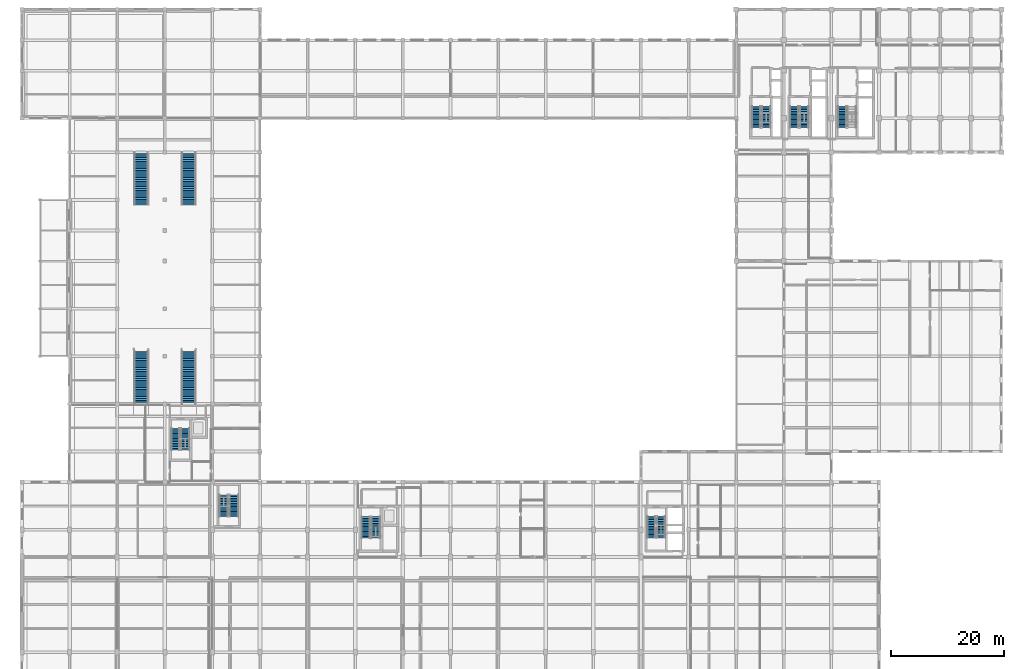
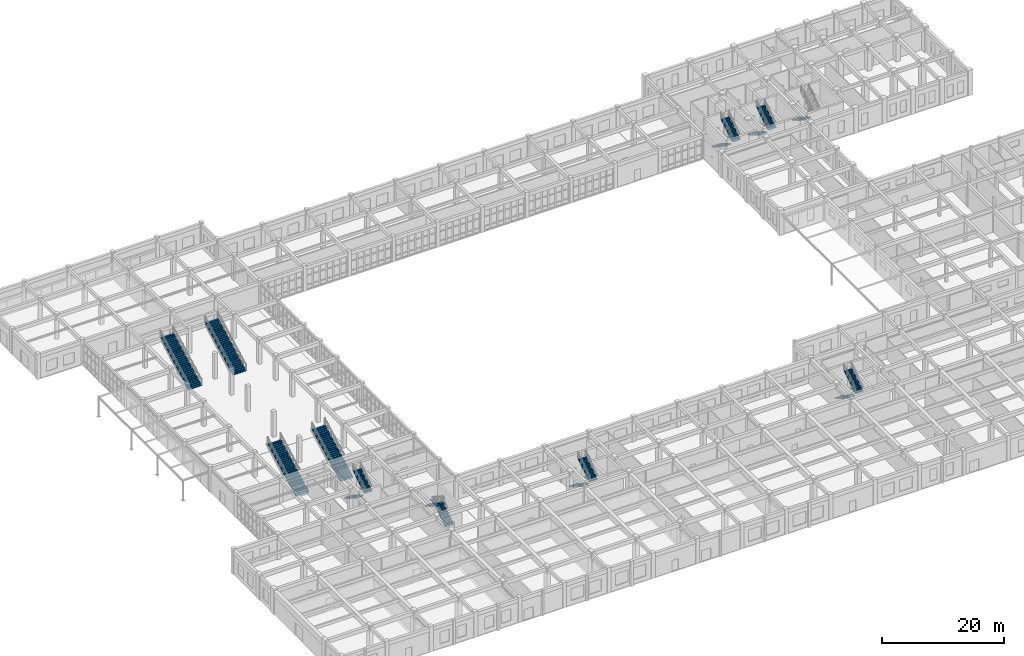
# One storey, part 71 of 80: 17 stair flights, 11 elements without a shape of their own.
"""IFC4 building model written with IfcOpenShell, lengths in metres."""

from ifc_helpers import new_model, si_unit, direction, frame, origin, place, context, subcontext, project, spatial, polyline, outline, extrude, material, type_object, element, aggregate, save


model = new_model("IFC4")

# Units and contexts
model_context = context("Model", 3, precision=1e-05, world=origin(), true_north=direction((0.0, 1.0)))
body_context = subcontext(model_context, "Body", "Model", "MODEL_VIEW")
ifc_project = project(units=[si_unit("LENGTHUNIT", "METRE"), si_unit("AREAUNIT", "SQUARE_METRE"), si_unit("VOLUMEUNIT", "CUBIC_METRE"), si_unit("PLANEANGLEUNIT", "RADIAN"), si_unit("MASSUNIT", "GRAM", prefix="KILO")], contexts=[model_context])

# Site, building, storey
site_placement = place(None, origin())
site = spatial("IfcSite", under=ifc_project, at=site_placement, CompositionType="ELEMENT")
building_placement = place(site_placement, origin())
building = spatial("IfcBuilding", under=site, at=building_placement, Name="Krzemoval Escarpment Law Courts", CompositionType="ELEMENT")
storey_placement = place(building_placement, origin())
storey = spatial("IfcBuildingStorey", under=building, at=storey_placement, Name="L00", CompositionType="ELEMENT", Elevation=0.0)

# Stair, stair flights
ifc_material_1 = material(Name="Concrete C40/50", Category="concrete")
stair_type_1 = type_object("IfcStairType", Name="STR-CORE-1500", PredefinedType="HALF_TURN_STAIR", material=ifc_material_1)
stair_1_placement = place(storey_placement, origin())
stair_1 = element("IfcStair", 1, at=stair_1_placement, inside=storey, type_object=stair_type_1, Name="L00 ST5", PredefinedType="HALF_TURN_STAIR")
ifc_material_2 = material(Name="Concrete C40/50", Category="concrete")
stair_flight_type_1 = type_object("IfcStairFlightType", Name="STF-CORE-1500", PredefinedType="STRAIGHT", material=ifc_material_2)
stair_flight_1_placement = place(storey_placement, frame((27.10009765625, 44.85009765625, 0.0), z_axis=(0.0, 0.0, 1.0), x_axis=(0.0, -1.0, 0.0)))
stair_flight_1 = element("IfcStairFlight", 2, at=stair_flight_1_placement, type_object=stair_flight_type_1, Name="ST5 flight 1", NumberOfRisers=14, NumberOfTreads=13, PredefinedType="STRAIGHT", RiserHeight=0.182142857, TreadLength=0.29, context=body_context, shape_type="SweptSolid", body=[
    extrude(outline(polyline([(0.0, 0.0), (0.0, 0.18212890625), (0.2900390625, 0.18212890625), (0.2900390625, 0.3642578125), (0.580078125, 0.3642578125), (0.580078125, 0.54638671875), (0.8701171875, 0.54638671875), (0.8701171875, 0.728515625), (1.159912109375, 0.728515625), (1.159912109375, 0.91064453125), (1.449951171875, 0.91064453125), (1.449951171875, 1.0927734375), (1.739990234375, 1.0927734375), (1.739990234375, 1.27490234375), (2.030029296875, 1.27490234375), (2.030029296875, 1.45703125), (2.320068359375, 1.45703125), (2.320068359375, 1.639404296875), (2.610107421875, 1.639404296875), (2.610107421875, 1.821533203125), (2.89990234375, 1.821533203125), (2.89990234375, 2.003662109375), (3.18994140625, 2.003662109375), (3.18994140625, 2.185791015625), (3.47998046875, 2.185791015625), (3.47998046875, 2.367919921875), (3.77001953125, 2.367919921875), (3.77001953125, 2.550048828125), (3.77001953125, 2.19091796875), (0.28173828125, 0.0), (0.0, 0.0)])), frame((0.0, 0.75, 0.0), z_axis=(0.0, -1.0, 0.0), x_axis=(1.0, 0.0, 0.0)), (0.0, 0.0, 1.0), 1.5),
])
stair_flight_2_placement = place(storey_placement, frame((28.800048828125, 41.080078125, 2.550048828125), z_axis=(0.0, 0.0, 1.0), x_axis=(0.0, 1.0, 0.0)))
stair_flight_2 = element("IfcStairFlight", 3, at=stair_flight_2_placement, type_object=stair_flight_type_1, Name="ST5 flight 2", NumberOfRisers=14, NumberOfTreads=13, PredefinedType="STRAIGHT", RiserHeight=0.182142857, TreadLength=0.29, context=body_context, shape_type="SweptSolid", body=[
    extrude(outline(polyline([(0.0, 0.0), (0.0, 0.18212890625), (0.2900390625, 0.18212890625), (0.2900390625, 0.3642578125), (0.580078125, 0.3642578125), (0.580078125, 0.54638671875), (0.8701171875, 0.54638671875), (0.8701171875, 0.728515625), (1.159912109375, 0.728515625), (1.159912109375, 0.91064453125), (1.449951171875, 0.91064453125), (1.449951171875, 1.0927734375), (1.739990234375, 1.0927734375), (1.739990234375, 1.27490234375), (2.030029296875, 1.27490234375), (2.030029296875, 1.45703125), (2.320068359375, 1.45703125), (2.320068359375, 1.639404296875), (2.610107421875, 1.639404296875), (2.610107421875, 1.821533203125), (2.89990234375, 1.821533203125), (2.89990234375, 2.003662109375), (3.18994140625, 2.003662109375), (3.18994140625, 2.185791015625), (3.47998046875, 2.185791015625), (3.47998046875, 2.367919921875), (3.77001953125, 2.367919921875), (3.77001953125, 2.550048828125), (3.77001953125, 2.19091796875), (0.28173828125, 0.0), (0.0, 0.0)])), frame((0.0, 0.75, 0.0), z_axis=(0.0, -1.0, 0.0), x_axis=(1.0, 0.0, 0.0)), (0.0, 0.0, 1.0), 1.5),
])
aggregate(stair_1, [stair_flight_1, stair_flight_2])

stair_2_placement = place(storey_placement, origin())
stair_2 = element("IfcStair", 4, at=stair_2_placement, inside=storey, type_object=stair_type_1, Name="L00 ST6", PredefinedType="HALF_TURN_STAIR")
stair_flight_3_placement = place(storey_placement, frame((111.050048828125, 29.35009765625, 0.0), z_axis=(0.0, 0.0, 1.0), x_axis=(0.0, -1.0, 0.0)))
stair_flight_3 = element("IfcStairFlight", 5, at=stair_flight_3_placement, type_object=stair_flight_type_1, Name="ST6 flight 1", NumberOfRisers=14, NumberOfTreads=13, PredefinedType="STRAIGHT", RiserHeight=0.182142857, TreadLength=0.29, context=body_context, shape_type="SweptSolid", body=[
    extrude(outline(polyline([(0.0, 0.0), (0.0, 0.18212890625), (0.2900390625, 0.18212890625), (0.2900390625, 0.3642578125), (0.580078125, 0.3642578125), (0.580078125, 0.54638671875), (0.8701171875, 0.54638671875), (0.8701171875, 0.728515625), (1.159912109375, 0.728515625), (1.159912109375, 0.91064453125), (1.449951171875, 0.91064453125), (1.449951171875, 1.0927734375), (1.739990234375, 1.0927734375), (1.739990234375, 1.27490234375), (2.030029296875, 1.27490234375), (2.030029296875, 1.45703125), (2.320068359375, 1.45703125), (2.320068359375, 1.639404296875), (2.610107421875, 1.639404296875), (2.610107421875, 1.821533203125), (2.89990234375, 1.821533203125), (2.89990234375, 2.003662109375), (3.18994140625, 2.003662109375), (3.18994140625, 2.185791015625), (3.47998046875, 2.185791015625), (3.47998046875, 2.367919921875), (3.77001953125, 2.367919921875), (3.77001953125, 2.550048828125), (3.77001953125, 2.19091796875), (0.28173828125, 0.0), (0.0, 0.0)])), frame((0.0, 0.75, 0.0), z_axis=(0.0, -1.0, 0.0), x_axis=(1.0, 0.0, 0.0)), (0.0, 0.0, 1.0), 1.5),
])
stair_flight_4_placement = place(storey_placement, frame((112.75, 25.580078125, 2.550048828125), z_axis=(0.0, 0.0, 1.0), x_axis=(0.0, 1.0, 0.0)))
stair_flight_4 = element("IfcStairFlight", 6, at=stair_flight_4_placement, type_object=stair_flight_type_1, Name="ST6 flight 2", NumberOfRisers=14, NumberOfTreads=13, PredefinedType="STRAIGHT", RiserHeight=0.182142857, TreadLength=0.29, context=body_context, shape_type="SweptSolid", body=[
    extrude(outline(polyline([(0.0, 0.0), (0.0, 0.18212890625), (0.2900390625, 0.18212890625), (0.2900390625, 0.3642578125), (0.580078125, 0.3642578125), (0.580078125, 0.54638671875), (0.8701171875, 0.54638671875), (0.8701171875, 0.728515625), (1.159912109375, 0.728515625), (1.159912109375, 0.91064453125), (1.449951171875, 0.91064453125), (1.449951171875, 1.0927734375), (1.739990234375, 1.0927734375), (1.739990234375, 1.27490234375), (2.030029296875, 1.27490234375), (2.030029296875, 1.45703125), (2.320068359375, 1.45703125), (2.320068359375, 1.639404296875), (2.610107421875, 1.639404296875), (2.610107421875, 1.821533203125), (2.89990234375, 1.821533203125), (2.89990234375, 2.003662109375), (3.18994140625, 2.003662109375), (3.18994140625, 2.185791015625), (3.47998046875, 2.185791015625), (3.47998046875, 2.367919921875), (3.77001953125, 2.367919921875), (3.77001953125, 2.550048828125), (3.77001953125, 2.19091796875), (0.28173828125, 0.0), (0.0, 0.0)])), frame((0.0, 0.75, 0.0), z_axis=(0.0, -1.0, 0.0), x_axis=(1.0, 0.0, 0.0)), (0.0, 0.0, 1.0), 1.5),
])
aggregate(stair_2, [stair_flight_3, stair_flight_4])

ifc_material_3 = material(Name="Concrete C40/50", Category="concrete")
stair_type_2 = type_object("IfcStairType", Name="STR-CORE-1550", PredefinedType="HALF_TURN_STAIR", material=ifc_material_3)
stair_3_placement = place(storey_placement, origin())
stair_3 = element("IfcStair", 7, at=stair_3_placement, inside=storey, type_object=stair_type_2, Name="L00 ST1", PredefinedType="HALF_TURN_STAIR")
ifc_material_4 = material(Name="Concrete C40/50", Category="concrete")
stair_flight_type_2 = type_object("IfcStairFlightType", Name="STF-CORE-1550", PredefinedType="STRAIGHT", material=ifc_material_4)
stair_flight_5_placement = place(storey_placement, frame((129.52490234375, 101.699951171875, 0.0), z_axis=(0.0, 0.0, 1.0), x_axis=(0.0, -1.0, 0.0)))
stair_flight_5 = element("IfcStairFlight", 8, at=stair_flight_5_placement, type_object=stair_flight_type_2, Name="ST1 flight 1", NumberOfRisers=14, NumberOfTreads=13, PredefinedType="STRAIGHT", RiserHeight=0.182142857, TreadLength=0.29, context=body_context, shape_type="SweptSolid", body=[
    extrude(outline(polyline([(0.0, 0.0), (0.0, 0.18212890625), (0.2900390625, 0.18212890625), (0.2900390625, 0.3642578125), (0.580078125, 0.3642578125), (0.580078125, 0.54638671875), (0.8701171875, 0.54638671875), (0.8701171875, 0.728515625), (1.159912109375, 0.728515625), (1.159912109375, 0.91064453125), (1.449951171875, 0.91064453125), (1.449951171875, 1.0927734375), (1.739990234375, 1.0927734375), (1.739990234375, 1.27490234375), (2.030029296875, 1.27490234375), (2.030029296875, 1.45703125), (2.320068359375, 1.45703125), (2.320068359375, 1.639404296875), (2.610107421875, 1.639404296875), (2.610107421875, 1.821533203125), (2.89990234375, 1.821533203125), (2.89990234375, 2.003662109375), (3.18994140625, 2.003662109375), (3.18994140625, 2.185791015625), (3.47998046875, 2.185791015625), (3.47998046875, 2.367919921875), (3.77001953125, 2.367919921875), (3.77001953125, 2.550048828125), (3.77001953125, 2.19091796875), (0.28173828125, 0.0), (0.0, 0.0)])), frame((0.0, 0.77490234375, 0.0), z_axis=(0.0, -1.0, 0.0), x_axis=(1.0, 0.0, 0.0)), (0.0, 0.0, 1.0), 1.550048828125),
])
stair_flight_6_placement = place(storey_placement, frame((131.27490234375, 97.929931640625, 2.550048828125), z_axis=(0.0, 0.0, 1.0), x_axis=(0.0, 1.0, 0.0)))
stair_flight_6 = element("IfcStairFlight", 9, at=stair_flight_6_placement, type_object=stair_flight_type_2, Name="ST1 flight 2", NumberOfRisers=14, NumberOfTreads=13, PredefinedType="STRAIGHT", RiserHeight=0.182142857, TreadLength=0.29, context=body_context, shape_type="SweptSolid", body=[
    extrude(outline(polyline([(0.0, 0.0), (0.0, 0.18212890625), (0.2900390625, 0.18212890625), (0.2900390625, 0.3642578125), (0.580078125, 0.3642578125), (0.580078125, 0.54638671875), (0.8701171875, 0.54638671875), (0.8701171875, 0.728515625), (1.159912109375, 0.728515625), (1.159912109375, 0.91064453125), (1.449951171875, 0.91064453125), (1.449951171875, 1.0927734375), (1.739990234375, 1.0927734375), (1.739990234375, 1.27490234375), (2.030029296875, 1.27490234375), (2.030029296875, 1.45703125), (2.320068359375, 1.45703125), (2.320068359375, 1.639404296875), (2.610107421875, 1.639404296875), (2.610107421875, 1.821533203125), (2.89990234375, 1.821533203125), (2.89990234375, 2.003662109375), (3.18994140625, 2.003662109375), (3.18994140625, 2.185791015625), (3.47998046875, 2.185791015625), (3.47998046875, 2.367919921875), (3.77001953125, 2.367919921875), (3.77001953125, 2.550048828125), (3.77001953125, 2.19091796875), (0.28173828125, 0.0), (0.0, 0.0)])), frame((0.0, 0.77490234375, 0.0), z_axis=(0.0, -1.0, 0.0), x_axis=(1.0, 0.0, 0.0)), (0.0, 0.0, 1.0), 1.550048828125),
])
aggregate(stair_3, [stair_flight_5, stair_flight_6])

stair_4_placement = place(storey_placement, origin())
stair_4 = element("IfcStair", 10, at=stair_4_placement, inside=storey, type_object=stair_type_2, Name="L00 ST2", PredefinedType="HALF_TURN_STAIR")
stair_flight_7_placement = place(storey_placement, frame((136.27490234375, 101.699951171875, 0.0), z_axis=(0.0, 0.0, 1.0), x_axis=(0.0, -1.0, 0.0)))
stair_flight_7 = element("IfcStairFlight", 11, at=stair_flight_7_placement, type_object=stair_flight_type_2, Name="ST2 flight 1", NumberOfRisers=14, NumberOfTreads=13, PredefinedType="STRAIGHT", RiserHeight=0.182142857, TreadLength=0.29, context=body_context, shape_type="SweptSolid", body=[
    extrude(outline(polyline([(0.0, 0.0), (0.0, 0.18212890625), (0.2900390625, 0.18212890625), (0.2900390625, 0.3642578125), (0.580078125, 0.3642578125), (0.580078125, 0.54638671875), (0.8701171875, 0.54638671875), (0.8701171875, 0.728515625), (1.159912109375, 0.728515625), (1.159912109375, 0.91064453125), (1.449951171875, 0.91064453125), (1.449951171875, 1.0927734375), (1.739990234375, 1.0927734375), (1.739990234375, 1.27490234375), (2.030029296875, 1.27490234375), (2.030029296875, 1.45703125), (2.320068359375, 1.45703125), (2.320068359375, 1.639404296875), (2.610107421875, 1.639404296875), (2.610107421875, 1.821533203125), (2.89990234375, 1.821533203125), (2.89990234375, 2.003662109375), (3.18994140625, 2.003662109375), (3.18994140625, 2.185791015625), (3.47998046875, 2.185791015625), (3.47998046875, 2.367919921875), (3.77001953125, 2.367919921875), (3.77001953125, 2.550048828125), (3.77001953125, 2.19091796875), (0.28173828125, 0.0), (0.0, 0.0)])), frame((0.0, 0.77490234375, 0.0), z_axis=(0.0, -1.0, 0.0), x_axis=(1.0, 0.0, 0.0)), (0.0, 0.0, 1.0), 1.550048828125),
])
stair_flight_8_placement = place(storey_placement, frame((138.02490234375, 97.929931640625, 2.550048828125), z_axis=(0.0, 0.0, 1.0), x_axis=(0.0, 1.0, 0.0)))
stair_flight_8 = element("IfcStairFlight", 12, at=stair_flight_8_placement, type_object=stair_flight_type_2, Name="ST2 flight 2", NumberOfRisers=14, NumberOfTreads=13, PredefinedType="STRAIGHT", RiserHeight=0.182142857, TreadLength=0.29, context=body_context, shape_type="SweptSolid", body=[
    extrude(outline(polyline([(0.0, 0.0), (0.0, 0.18212890625), (0.2900390625, 0.18212890625), (0.2900390625, 0.3642578125), (0.580078125, 0.3642578125), (0.580078125, 0.54638671875), (0.8701171875, 0.54638671875), (0.8701171875, 0.728515625), (1.159912109375, 0.728515625), (1.159912109375, 0.91064453125), (1.449951171875, 0.91064453125), (1.449951171875, 1.0927734375), (1.739990234375, 1.0927734375), (1.739990234375, 1.27490234375), (2.030029296875, 1.27490234375), (2.030029296875, 1.45703125), (2.320068359375, 1.45703125), (2.320068359375, 1.639404296875), (2.610107421875, 1.639404296875), (2.610107421875, 1.821533203125), (2.89990234375, 1.821533203125), (2.89990234375, 2.003662109375), (3.18994140625, 2.003662109375), (3.18994140625, 2.185791015625), (3.47998046875, 2.185791015625), (3.47998046875, 2.367919921875), (3.77001953125, 2.367919921875), (3.77001953125, 2.550048828125), (3.77001953125, 2.19091796875), (0.28173828125, 0.0), (0.0, 0.0)])), frame((0.0, 0.77490234375, 0.0), z_axis=(0.0, -1.0, 0.0), x_axis=(1.0, 0.0, 0.0)), (0.0, 0.0, 1.0), 1.550048828125),
])
aggregate(stair_4, [stair_flight_7, stair_flight_8])

# Stair, stair flight
stair_5_placement = place(storey_placement, origin())
stair_5 = element("IfcStair", 13, at=stair_5_placement, inside=storey, type_object=stair_type_2, Name="L00 ST3", PredefinedType="HALF_TURN_STAIR")
stair_flight_9_placement = place(storey_placement, frame((144.675048828125, 101.699951171875, 0.0), z_axis=(0.0, 0.0, 1.0), x_axis=(0.0, -1.0, 0.0)))
stair_flight_9 = element("IfcStairFlight", 14, at=stair_flight_9_placement, type_object=stair_flight_type_2, Name="ST3 flight 1", NumberOfRisers=14, NumberOfTreads=13, PredefinedType="STRAIGHT", RiserHeight=0.182142857, TreadLength=0.29, context=body_context, shape_type="SweptSolid", body=[
    extrude(outline(polyline([(0.0, 0.0), (0.0, 0.18212890625), (0.2900390625, 0.18212890625), (0.2900390625, 0.3642578125), (0.580078125, 0.3642578125), (0.580078125, 0.54638671875), (0.8701171875, 0.54638671875), (0.8701171875, 0.728515625), (1.159912109375, 0.728515625), (1.159912109375, 0.91064453125), (1.449951171875, 0.91064453125), (1.449951171875, 1.0927734375), (1.739990234375, 1.0927734375), (1.739990234375, 1.27490234375), (2.030029296875, 1.27490234375), (2.030029296875, 1.45703125), (2.320068359375, 1.45703125), (2.320068359375, 1.639404296875), (2.610107421875, 1.639404296875), (2.610107421875, 1.821533203125), (2.89990234375, 1.821533203125), (2.89990234375, 2.003662109375), (3.18994140625, 2.003662109375), (3.18994140625, 2.185791015625), (3.47998046875, 2.185791015625), (3.47998046875, 2.367919921875), (3.77001953125, 2.367919921875), (3.77001953125, 2.550048828125), (3.77001953125, 2.19091796875), (0.28173828125, 0.0), (0.0, 0.0)])), frame((0.0, 0.77490234375, 0.0), z_axis=(0.0, -1.0, 0.0), x_axis=(1.0, 0.0, 0.0)), (0.0, 0.0, 1.0), 1.550048828125),
])
aggregate(stair_5, [stair_flight_9])

# Stair, stair flights
stair_6_placement = place(storey_placement, origin())
stair_6 = element("IfcStair", 15, at=stair_6_placement, inside=storey, type_object=stair_type_2, Name="L00 ST4", PredefinedType="HALF_TURN_STAIR")
stair_flight_10_placement = place(storey_placement, frame((60.675048828125, 29.300048828125, 0.0), z_axis=(0.0, 0.0, 1.0), x_axis=(0.0, -1.0, 0.0)))
stair_flight_10 = element("IfcStairFlight", 16, at=stair_flight_10_placement, type_object=stair_flight_type_2, Name="ST4 flight 1", NumberOfRisers=14, NumberOfTreads=13, PredefinedType="STRAIGHT", RiserHeight=0.182142857, TreadLength=0.29, context=body_context, shape_type="SweptSolid", body=[
    extrude(outline(polyline([(0.0, 0.0), (0.0, 0.18212890625), (0.2900390625, 0.18212890625), (0.2900390625, 0.3642578125), (0.580078125, 0.3642578125), (0.580078125, 0.54638671875), (0.8701171875, 0.54638671875), (0.8701171875, 0.728515625), (1.159912109375, 0.728515625), (1.159912109375, 0.91064453125), (1.449951171875, 0.91064453125), (1.449951171875, 1.0927734375), (1.739990234375, 1.0927734375), (1.739990234375, 1.27490234375), (2.030029296875, 1.27490234375), (2.030029296875, 1.45703125), (2.320068359375, 1.45703125), (2.320068359375, 1.639404296875), (2.610107421875, 1.639404296875), (2.610107421875, 1.821533203125), (2.89990234375, 1.821533203125), (2.89990234375, 2.003662109375), (3.18994140625, 2.003662109375), (3.18994140625, 2.185791015625), (3.47998046875, 2.185791015625), (3.47998046875, 2.367919921875), (3.77001953125, 2.367919921875), (3.77001953125, 2.550048828125), (3.77001953125, 2.19091796875), (0.28173828125, 0.0), (0.0, 0.0)])), frame((0.0, 0.77490234375, 0.0), z_axis=(0.0, -1.0, 0.0), x_axis=(1.0, 0.0, 0.0)), (0.0, 0.0, 1.0), 1.550048828125),
])
stair_flight_11_placement = place(storey_placement, frame((62.425048828125, 25.530029296875, 2.550048828125), z_axis=(0.0, 0.0, 1.0), x_axis=(0.0, 1.0, 0.0)))
stair_flight_11 = element("IfcStairFlight", 17, at=stair_flight_11_placement, type_object=stair_flight_type_2, Name="ST4 flight 2", NumberOfRisers=14, NumberOfTreads=13, PredefinedType="STRAIGHT", RiserHeight=0.182142857, TreadLength=0.29, context=body_context, shape_type="SweptSolid", body=[
    extrude(outline(polyline([(0.0, 0.0), (0.0, 0.18212890625), (0.2900390625, 0.18212890625), (0.2900390625, 0.3642578125), (0.580078125, 0.3642578125), (0.580078125, 0.54638671875), (0.8701171875, 0.54638671875), (0.8701171875, 0.728515625), (1.159912109375, 0.728515625), (1.159912109375, 0.91064453125), (1.449951171875, 0.91064453125), (1.449951171875, 1.0927734375), (1.739990234375, 1.0927734375), (1.739990234375, 1.27490234375), (2.030029296875, 1.27490234375), (2.030029296875, 1.45703125), (2.320068359375, 1.45703125), (2.320068359375, 1.639404296875), (2.610107421875, 1.639404296875), (2.610107421875, 1.821533203125), (2.89990234375, 1.821533203125), (2.89990234375, 2.003662109375), (3.18994140625, 2.003662109375), (3.18994140625, 2.185791015625), (3.47998046875, 2.185791015625), (3.47998046875, 2.367919921875), (3.77001953125, 2.367919921875), (3.77001953125, 2.550048828125), (3.77001953125, 2.19091796875), (0.28173828125, 0.0), (0.0, 0.0)])), frame((0.0, 0.77490234375, 0.0), z_axis=(0.0, -1.0, 0.0), x_axis=(1.0, 0.0, 0.0)), (0.0, 0.0, 1.0), 1.550048828125),
])
aggregate(stair_6, [stair_flight_10, stair_flight_11])

ifc_material_5 = material(Name="Concrete C40/50", Category="concrete")
stair_type_3 = type_object("IfcStairType", Name="STR-CORE-1600", PredefinedType="HALF_TURN_STAIR", material=ifc_material_5)
stair_7_placement = place(storey_placement, origin())
stair_7 = element("IfcStair", 18, at=stair_7_placement, inside=storey, type_object=stair_type_3, Name="L00 ST9", PredefinedType="HALF_TURN_STAIR")
ifc_material_6 = material(Name="Concrete C40/50", Category="concrete")
stair_flight_type_3 = type_object("IfcStairFlightType", Name="STF-CORE-1600", PredefinedType="STRAIGHT", material=ifc_material_6)
stair_flight_12_placement = place(storey_placement, frame((37.39990234375, 29.35009765625, 0.0), z_axis=(0.0, 0.0, 1.0), x_axis=(0.0, 1.0, 0.0)))
stair_flight_12 = element("IfcStairFlight", 19, at=stair_flight_12_placement, type_object=stair_flight_type_3, Name="ST9 flight 1", NumberOfRisers=14, NumberOfTreads=13, PredefinedType="STRAIGHT", RiserHeight=0.182142857, TreadLength=0.29, context=body_context, shape_type="SweptSolid", body=[
    extrude(outline(polyline([(0.0, 0.0), (0.0, 0.18212890625), (0.2900390625, 0.18212890625), (0.2900390625, 0.3642578125), (0.580078125, 0.3642578125), (0.580078125, 0.54638671875), (0.8701171875, 0.54638671875), (0.8701171875, 0.728515625), (1.159912109375, 0.728515625), (1.159912109375, 0.91064453125), (1.449951171875, 0.91064453125), (1.449951171875, 1.0927734375), (1.739990234375, 1.0927734375), (1.739990234375, 1.27490234375), (2.030029296875, 1.27490234375), (2.030029296875, 1.45703125), (2.320068359375, 1.45703125), (2.320068359375, 1.639404296875), (2.610107421875, 1.639404296875), (2.610107421875, 1.821533203125), (2.89990234375, 1.821533203125), (2.89990234375, 2.003662109375), (3.18994140625, 2.003662109375), (3.18994140625, 2.185791015625), (3.47998046875, 2.185791015625), (3.47998046875, 2.367919921875), (3.77001953125, 2.367919921875), (3.77001953125, 2.550048828125), (3.77001953125, 2.19091796875), (0.28173828125, 0.0), (0.0, 0.0)])), frame((0.0, 0.800048828125, 0.0), z_axis=(0.0, -1.0, 0.0), x_axis=(1.0, 0.0, 0.0)), (0.0, 0.0, 1.0), 1.60009765625),
])
stair_flight_13_placement = place(storey_placement, frame((35.60009765625, 33.1201171875, 2.550048828125), z_axis=(0.0, 0.0, 1.0), x_axis=(0.0, -1.0, 0.0)))
stair_flight_13 = element("IfcStairFlight", 20, at=stair_flight_13_placement, type_object=stair_flight_type_3, Name="ST9 flight 2", NumberOfRisers=14, NumberOfTreads=13, PredefinedType="STRAIGHT", RiserHeight=0.182142857, TreadLength=0.29, context=body_context, shape_type="SweptSolid", body=[
    extrude(outline(polyline([(0.0, 0.0), (0.0, 0.18212890625), (0.2900390625, 0.18212890625), (0.2900390625, 0.3642578125), (0.580078125, 0.3642578125), (0.580078125, 0.54638671875), (0.8701171875, 0.54638671875), (0.8701171875, 0.728515625), (1.159912109375, 0.728515625), (1.159912109375, 0.91064453125), (1.449951171875, 0.91064453125), (1.449951171875, 1.0927734375), (1.739990234375, 1.0927734375), (1.739990234375, 1.27490234375), (2.030029296875, 1.27490234375), (2.030029296875, 1.45703125), (2.320068359375, 1.45703125), (2.320068359375, 1.639404296875), (2.610107421875, 1.639404296875), (2.610107421875, 1.821533203125), (2.89990234375, 1.821533203125), (2.89990234375, 2.003662109375), (3.18994140625, 2.003662109375), (3.18994140625, 2.185791015625), (3.47998046875, 2.185791015625), (3.47998046875, 2.367919921875), (3.77001953125, 2.367919921875), (3.77001953125, 2.550048828125), (3.77001953125, 2.19091796875), (0.28173828125, 0.0), (0.0, 0.0)])), frame((0.0, 0.800048828125, 0.0), z_axis=(0.0, -1.0, 0.0), x_axis=(1.0, 0.0, 0.0)), (0.0, 0.0, 1.0), 1.60009765625),
])
aggregate(stair_7, [stair_flight_12, stair_flight_13])

# Stair, stair flight
ifc_material_7 = material(Name="Concrete C40/50", Category="concrete")
stair_type_4 = type_object("IfcStairType", Name="STR-MON-2500", PredefinedType="STRAIGHT_RUN_STAIR", material=ifc_material_7)
stair_8_placement = place(storey_placement, origin())
stair_8 = element("IfcStair", 21, at=stair_8_placement, inside=storey, type_object=stair_type_4, Name="Monumental Public Hall Stair ST7-L00", PredefinedType="STRAIGHT_RUN_STAIR")
ifc_material_8 = material(Name="Concrete C40/50", Category="concrete")
stair_flight_type_4 = type_object("IfcStairFlightType", Name="STF-MON-2500", PredefinedType="STRAIGHT", material=ifc_material_8)
stair_flight_14_placement = place(storey_placement, frame((21.0, 49.199951171875, 0.0), z_axis=(0.0, 0.0, 1.0), x_axis=(0.0, 1.0, 0.0)))
stair_flight_14 = element("IfcStairFlight", 22, at=stair_flight_14_placement, type_object=stair_flight_type_4, Name="ST7-L00 flight 1", NumberOfRisers=30, NumberOfTreads=29, PredefinedType="STRAIGHT", RiserHeight=0.17, TreadLength=0.32, context=body_context, shape_type="SweptSolid", body=[
    extrude(outline(polyline([(0.0, 0.0), (0.0, 0.169921875), (0.320068359375, 0.169921875), (0.320068359375, 0.340087890625), (0.639892578125, 0.340087890625), (0.639892578125, 0.510009765625), (0.9599609375, 0.510009765625), (0.9599609375, 0.679931640625), (1.280029296875, 0.679931640625), (1.280029296875, 0.85009765625), (1.60009765625, 0.85009765625), (1.60009765625, 1.02001953125), (1.919921875, 1.02001953125), (1.919921875, 1.18994140625), (2.239990234375, 1.18994140625), (2.239990234375, 1.360107421875), (2.56005859375, 1.360107421875), (2.56005859375, 1.530029296875), (2.8798828125, 1.530029296875), (2.8798828125, 1.699951171875), (3.199951171875, 1.699951171875), (3.199951171875, 1.8701171875), (3.52001953125, 1.8701171875), (3.52001953125, 2.0400390625), (3.840087890625, 2.0400390625), (3.840087890625, 2.2099609375), (4.159912109375, 2.2099609375), (4.159912109375, 2.3798828125), (4.47998046875, 2.3798828125), (4.47998046875, 2.550048828125), (4.800048828125, 2.550048828125), (4.800048828125, 2.719970703125), (5.1201171875, 2.719970703125), (5.1201171875, 2.889892578125), (5.43994140625, 2.889892578125), (5.43994140625, 3.06005859375), (5.760009765625, 3.06005859375), (5.760009765625, 3.22998046875), (6.080078125, 3.22998046875), (6.080078125, 3.39990234375), (6.39990234375, 3.39990234375), (6.39990234375, 3.570068359375), (6.719970703125, 3.570068359375), (6.719970703125, 3.739990234375), (7.0400390625, 3.739990234375), (7.0400390625, 3.909912109375), (7.360107421875, 3.909912109375), (7.360107421875, 4.080078125), (7.679931640625, 4.080078125), (7.679931640625, 4.25), (8.0, 4.25), (8.0, 4.419921875), (8.320068359375, 4.419921875), (8.320068359375, 4.590087890625), (8.639892578125, 4.590087890625), (8.639892578125, 4.760009765625), (8.9599609375, 4.760009765625), (8.9599609375, 4.929931640625), (9.280029296875, 4.929931640625), (9.280029296875, 5.10009765625), (9.280029296875, 4.726318359375), (0.383544921875, 0.0), (0.0, 0.0)])), frame((0.0, 1.25, 0.0), z_axis=(0.0, -1.0, 0.0), x_axis=(1.0, 0.0, 0.0)), (0.0, 0.0, 1.0), 2.5),
])
aggregate(stair_8, [stair_flight_14])

stair_9_placement = place(storey_placement, origin())
stair_9 = element("IfcStair", 23, at=stair_9_placement, inside=storey, type_object=stair_type_4, Name="Monumental Public Hall Stair ST8-L00", PredefinedType="STRAIGHT_RUN_STAIR")
stair_flight_15_placement = place(storey_placement, frame((29.39990234375, 49.199951171875, 0.0), z_axis=(0.0, 0.0, 1.0), x_axis=(0.0, 1.0, 0.0)))
stair_flight_15 = element("IfcStairFlight", 24, at=stair_flight_15_placement, type_object=stair_flight_type_4, Name="ST8-L00 flight 1", NumberOfRisers=30, NumberOfTreads=29, PredefinedType="STRAIGHT", RiserHeight=0.17, TreadLength=0.32, context=body_context, shape_type="SweptSolid", body=[
    extrude(outline(polyline([(0.0, 0.0), (0.0, 0.169921875), (0.320068359375, 0.169921875), (0.320068359375, 0.340087890625), (0.639892578125, 0.340087890625), (0.639892578125, 0.510009765625), (0.9599609375, 0.510009765625), (0.9599609375, 0.679931640625), (1.280029296875, 0.679931640625), (1.280029296875, 0.85009765625), (1.60009765625, 0.85009765625), (1.60009765625, 1.02001953125), (1.919921875, 1.02001953125), (1.919921875, 1.18994140625), (2.239990234375, 1.18994140625), (2.239990234375, 1.360107421875), (2.56005859375, 1.360107421875), (2.56005859375, 1.530029296875), (2.8798828125, 1.530029296875), (2.8798828125, 1.699951171875), (3.199951171875, 1.699951171875), (3.199951171875, 1.8701171875), (3.52001953125, 1.8701171875), (3.52001953125, 2.0400390625), (3.840087890625, 2.0400390625), (3.840087890625, 2.2099609375), (4.159912109375, 2.2099609375), (4.159912109375, 2.3798828125), (4.47998046875, 2.3798828125), (4.47998046875, 2.550048828125), (4.800048828125, 2.550048828125), (4.800048828125, 2.719970703125), (5.1201171875, 2.719970703125), (5.1201171875, 2.889892578125), (5.43994140625, 2.889892578125), (5.43994140625, 3.06005859375), (5.760009765625, 3.06005859375), (5.760009765625, 3.22998046875), (6.080078125, 3.22998046875), (6.080078125, 3.39990234375), (6.39990234375, 3.39990234375), (6.39990234375, 3.570068359375), (6.719970703125, 3.570068359375), (6.719970703125, 3.739990234375), (7.0400390625, 3.739990234375), (7.0400390625, 3.909912109375), (7.360107421875, 3.909912109375), (7.360107421875, 4.080078125), (7.679931640625, 4.080078125), (7.679931640625, 4.25), (8.0, 4.25), (8.0, 4.419921875), (8.320068359375, 4.419921875), (8.320068359375, 4.590087890625), (8.639892578125, 4.590087890625), (8.639892578125, 4.760009765625), (8.9599609375, 4.760009765625), (8.9599609375, 4.929931640625), (9.280029296875, 4.929931640625), (9.280029296875, 5.10009765625), (9.280029296875, 4.726318359375), (0.383544921875, 0.0), (0.0, 0.0)])), frame((0.0, 1.25, 0.0), z_axis=(0.0, -1.0, 0.0), x_axis=(1.0, 0.0, 0.0)), (0.0, 0.0, 1.0), 2.5),
])
aggregate(stair_9, [stair_flight_15])

stair_10_placement = place(storey_placement, origin())
stair_10 = element("IfcStair", 25, at=stair_10_placement, inside=storey, type_object=stair_type_4, Name="Monumental Public Hall Stair ST10-L00", PredefinedType="STRAIGHT_RUN_STAIR")
stair_flight_16_placement = place(storey_placement, frame((21.0, 84.320068359375, 0.0), z_axis=(0.0, 0.0, 1.0), x_axis=(0.0, 1.0, 0.0)))
stair_flight_16 = element("IfcStairFlight", 26, at=stair_flight_16_placement, type_object=stair_flight_type_4, Name="ST10-L00 flight 1", NumberOfRisers=30, NumberOfTreads=29, PredefinedType="STRAIGHT", RiserHeight=0.17, TreadLength=0.32, context=body_context, shape_type="SweptSolid", body=[
    extrude(outline(polyline([(0.0, 0.0), (0.0, 0.169921875), (0.320068359375, 0.169921875), (0.320068359375, 0.340087890625), (0.639892578125, 0.340087890625), (0.639892578125, 0.510009765625), (0.9599609375, 0.510009765625), (0.9599609375, 0.679931640625), (1.280029296875, 0.679931640625), (1.280029296875, 0.85009765625), (1.60009765625, 0.85009765625), (1.60009765625, 1.02001953125), (1.919921875, 1.02001953125), (1.919921875, 1.18994140625), (2.239990234375, 1.18994140625), (2.239990234375, 1.360107421875), (2.56005859375, 1.360107421875), (2.56005859375, 1.530029296875), (2.8798828125, 1.530029296875), (2.8798828125, 1.699951171875), (3.199951171875, 1.699951171875), (3.199951171875, 1.8701171875), (3.52001953125, 1.8701171875), (3.52001953125, 2.0400390625), (3.840087890625, 2.0400390625), (3.840087890625, 2.2099609375), (4.159912109375, 2.2099609375), (4.159912109375, 2.3798828125), (4.47998046875, 2.3798828125), (4.47998046875, 2.550048828125), (4.800048828125, 2.550048828125), (4.800048828125, 2.719970703125), (5.1201171875, 2.719970703125), (5.1201171875, 2.889892578125), (5.43994140625, 2.889892578125), (5.43994140625, 3.06005859375), (5.760009765625, 3.06005859375), (5.760009765625, 3.22998046875), (6.080078125, 3.22998046875), (6.080078125, 3.39990234375), (6.39990234375, 3.39990234375), (6.39990234375, 3.570068359375), (6.719970703125, 3.570068359375), (6.719970703125, 3.739990234375), (7.0400390625, 3.739990234375), (7.0400390625, 3.909912109375), (7.360107421875, 3.909912109375), (7.360107421875, 4.080078125), (7.679931640625, 4.080078125), (7.679931640625, 4.25), (8.0, 4.25), (8.0, 4.419921875), (8.320068359375, 4.419921875), (8.320068359375, 4.590087890625), (8.639892578125, 4.590087890625), (8.639892578125, 4.760009765625), (8.9599609375, 4.760009765625), (8.9599609375, 4.929931640625), (9.280029296875, 4.929931640625), (9.280029296875, 5.10009765625), (9.280029296875, 4.726318359375), (0.383544921875, 0.0), (0.0, 0.0)])), frame((0.0, 1.25, 0.0), z_axis=(0.0, -1.0, 0.0), x_axis=(1.0, 0.0, 0.0)), (0.0, 0.0, 1.0), 2.5),
])
aggregate(stair_10, [stair_flight_16])

stair_11_placement = place(storey_placement, origin())
stair_11 = element("IfcStair", 27, at=stair_11_placement, inside=storey, type_object=stair_type_4, Name="Monumental Public Hall Stair ST11-L00", PredefinedType="STRAIGHT_RUN_STAIR")
stair_flight_17_placement = place(storey_placement, frame((29.39990234375, 84.320068359375, 0.0), z_axis=(0.0, 0.0, 1.0), x_axis=(0.0, 1.0, 0.0)))
stair_flight_17 = element("IfcStairFlight", 28, at=stair_flight_17_placement, type_object=stair_flight_type_4, Name="ST11-L00 flight 1", NumberOfRisers=30, NumberOfTreads=29, PredefinedType="STRAIGHT", RiserHeight=0.17, TreadLength=0.32, context=body_context, shape_type="SweptSolid", body=[
    extrude(outline(polyline([(0.0, 0.0), (0.0, 0.169921875), (0.320068359375, 0.169921875), (0.320068359375, 0.340087890625), (0.639892578125, 0.340087890625), (0.639892578125, 0.510009765625), (0.9599609375, 0.510009765625), (0.9599609375, 0.679931640625), (1.280029296875, 0.679931640625), (1.280029296875, 0.85009765625), (1.60009765625, 0.85009765625), (1.60009765625, 1.02001953125), (1.919921875, 1.02001953125), (1.919921875, 1.18994140625), (2.239990234375, 1.18994140625), (2.239990234375, 1.360107421875), (2.56005859375, 1.360107421875), (2.56005859375, 1.530029296875), (2.8798828125, 1.530029296875), (2.8798828125, 1.699951171875), (3.199951171875, 1.699951171875), (3.199951171875, 1.8701171875), (3.52001953125, 1.8701171875), (3.52001953125, 2.0400390625), (3.840087890625, 2.0400390625), (3.840087890625, 2.2099609375), (4.159912109375, 2.2099609375), (4.159912109375, 2.3798828125), (4.47998046875, 2.3798828125), (4.47998046875, 2.550048828125), (4.800048828125, 2.550048828125), (4.800048828125, 2.719970703125), (5.1201171875, 2.719970703125), (5.1201171875, 2.889892578125), (5.43994140625, 2.889892578125), (5.43994140625, 3.06005859375), (5.760009765625, 3.06005859375), (5.760009765625, 3.22998046875), (6.080078125, 3.22998046875), (6.080078125, 3.39990234375), (6.39990234375, 3.39990234375), (6.39990234375, 3.570068359375), (6.719970703125, 3.570068359375), (6.719970703125, 3.739990234375), (7.0400390625, 3.739990234375), (7.0400390625, 3.909912109375), (7.360107421875, 3.909912109375), (7.360107421875, 4.080078125), (7.679931640625, 4.080078125), (7.679931640625, 4.25), (8.0, 4.25), (8.0, 4.419921875), (8.320068359375, 4.419921875), (8.320068359375, 4.590087890625), (8.639892578125, 4.590087890625), (8.639892578125, 4.760009765625), (8.9599609375, 4.760009765625), (8.9599609375, 4.929931640625), (9.280029296875, 4.929931640625), (9.280029296875, 5.10009765625), (9.280029296875, 4.726318359375), (0.383544921875, 0.0), (0.0, 0.0)])), frame((0.0, 1.25, 0.0), z_axis=(0.0, -1.0, 0.0), x_axis=(1.0, 0.0, 0.0)), (0.0, 0.0, 1.0), 2.5),
])
aggregate(stair_11, [stair_flight_17])

save(model, "model.ifc")
